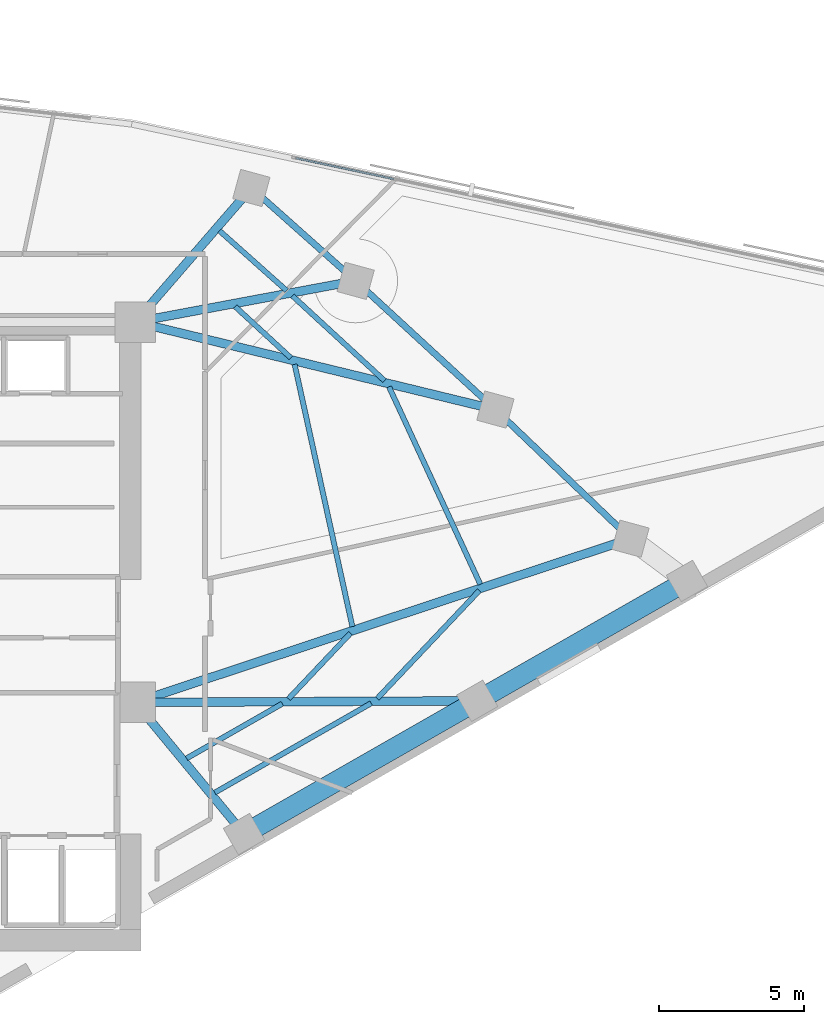
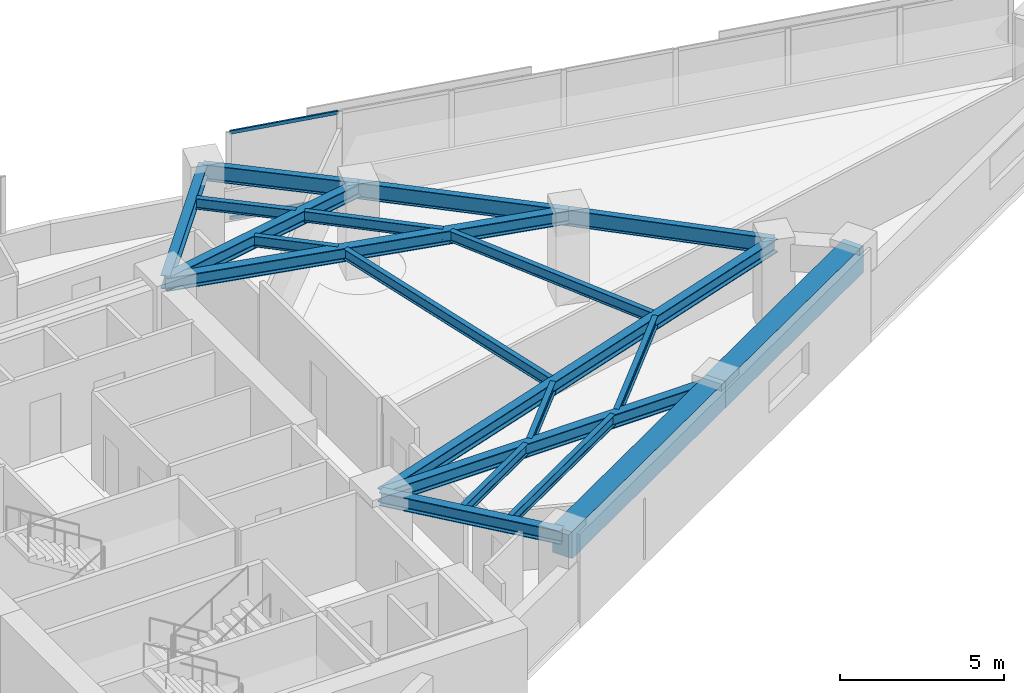
# One storey, part 3 of 13: 20 beams, 2 members, 1 element without a shape of its own.
"""IFC4 building model written with IfcOpenShell, lengths in metres."""

from ifc_helpers import new_model, si_unit, direction, frame, origin, origin_2d, place, context, subcontext, project, spatial, rectangle, hollow_rectangle, i_section, extrude, material, material_profile, profile_set, type_object, element, aggregate, save


model = new_model("IFC4")

# Units and contexts
model_context = context("Model", 3, precision=1e-05, world=origin(), true_north=direction((0.0, 1.0)))
body_context = subcontext(model_context, "Body", "Model", "MODEL_VIEW")
ifc_project = project(units=[si_unit("LENGTHUNIT", "METRE"), si_unit("AREAUNIT", "SQUARE_METRE"), si_unit("VOLUMEUNIT", "CUBIC_METRE"), si_unit("PLANEANGLEUNIT", "RADIAN"), si_unit("MASSUNIT", "GRAM", prefix="KILO")], contexts=[model_context])

# Site, building, storey
site_placement = place(None, origin())
site = spatial("IfcSite", under=ifc_project, at=site_placement, CompositionType="ELEMENT")
building_placement = place(site_placement, origin())
building = spatial("IfcBuilding", under=site, at=building_placement, Name="Narakoshi Arena Tower", CompositionType="ELEMENT")
storey_placement = place(building_placement, frame((0.0, 0.0, 222.02001953125)))
storey = spatial("IfcBuildingStorey", under=building, at=storey_placement, Name="L60", CompositionType="ELEMENT", Elevation=222.02001953125)

# Beams
ifc_material_1 = material(Name="Concrete C60/75", Category="concrete")
ifc_material_profile_1 = material_profile(ifc_material_1, rectangle(XDim=0.699951171875, YDim=1.0, at=origin_2d()), Name="RCB700x1000")
ifc_profile_set_1 = profile_set([ifc_material_profile_1], Name="Concrete C60/75")
beam_type_1 = type_object("IfcBeamType", Name="BM-CPL-1000", PredefinedType="BEAM", material=ifc_profile_set_1)
beam_1_placement = place(storey_placement, frame((89.30810546875, 38.798583984375, 2.760009765625), z_axis=(0.868201055882, 0.496212582031, 0.0), x_axis=(-0.496212582031, 0.868201055882, 0.0)))
element("IfcBeam", 1, at=beam_1_placement, inside=storey, type_object=beam_type_1, Name="L60 Perimeter Edge Girder 01", PredefinedType="BEAM", context=body_context, shape_type="SweptSolid", body=[
    extrude(rectangle(XDim=0.699951171875, YDim=1.0, at=origin_2d()), origin(), (0.0, 0.0, 1.0), 9.2822265625),
])
beam_2_placement = place(storey_placement, frame((97.366943359375, 43.404541015625, 2.760009765625), z_axis=(0.868192782093, 0.49622705803, 0.0), x_axis=(-0.49622705803, 0.868192782093, 0.0)))
element("IfcBeam", 2, at=beam_2_placement, inside=storey, type_object=beam_type_1, Name="L60 Perimeter Edge Girder 02", PredefinedType="BEAM", context=body_context, shape_type="SweptSolid", body=[
    extrude(rectangle(XDim=0.699951171875, YDim=1.0, at=origin_2d()), origin(), (0.0, 0.0, 1.0), 8.35400390625),
])
ifc_material_2 = material(Name="Structural steel S355J2", Category="steel")
ifc_material_profile_2 = material_profile(ifc_material_2, i_section(OverallWidth=0.219970703125, OverallDepth=0.60009765625, WebThickness=0.011962890625, FlangeThickness=0.01904296875, FilletRadius=0.02392578125, at=origin_2d()), Name="IPE600")
ifc_profile_set_2 = profile_set([ifc_material_profile_2], Name="Structural steel S355J2")
beam_type_2 = type_object("IfcBeamType", Name="BM-EDGE-600", PredefinedType="BEAM", material=ifc_profile_set_2)
beam_3_placement = place(storey_placement, frame((102.668701171875, 49.009521484375, 2.9599609375), z_axis=(-0.722814960544, 0.691041628858, 0.0), x_axis=(-0.691041628858, -0.722814960544, 0.0)))
element("IfcBeam", 3, at=beam_3_placement, inside=storey, type_object=beam_type_2, Name="L60 Perimeter Edge Girder 04", PredefinedType="BEAM", context=body_context, shape_type="SweptSolid", body=[
    extrude(i_section(OverallWidth=0.219970703125, OverallDepth=0.60009765625, WebThickness=0.011962890625, FlangeThickness=0.01904296875, FilletRadius=0.02392578125, at=origin_2d()), origin(), (0.0, 0.0, 1.0), 6.462158203125),
])
beam_4_placement = place(storey_placement, frame((97.997802734375, 53.47509765625, 2.9599609375), z_axis=(-0.735632357906, 0.677381010954, 0.0), x_axis=(-0.677381010954, -0.735632357906, 0.0)))
element("IfcBeam", 4, at=beam_4_placement, inside=storey, type_object=beam_type_2, Name="L60 Perimeter Edge Girder 05", PredefinedType="BEAM", context=body_context, shape_type="SweptSolid", body=[
    extrude(i_section(OverallWidth=0.219970703125, OverallDepth=0.60009765625, WebThickness=0.011962890625, FlangeThickness=0.01904296875, FilletRadius=0.02392578125, at=origin_2d()), origin(), (0.0, 0.0, 1.0), 6.567626953125),
])
beam_5_placement = place(storey_placement, frame((93.16650390625, 57.923828125, 2.9599609375), z_axis=(-0.746739302131, 0.665116842857, 0.0), x_axis=(-0.665116842857, -0.746739302131, 0.0)))
element("IfcBeam", 5, at=beam_5_placement, inside=storey, type_object=beam_type_2, Name="L60 Perimeter Edge Girder 06", PredefinedType="BEAM", context=body_context, shape_type="SweptSolid", body=[
    extrude(i_section(OverallWidth=0.219970703125, OverallDepth=0.60009765625, WebThickness=0.011962890625, FlangeThickness=0.01904296875, FilletRadius=0.02392578125, at=origin_2d()), origin(), (0.0, 0.0, 1.0), 4.82763671875),
])
ifc_material_profile_3 = material_profile(ifc_material_2, i_section(OverallWidth=0.300048828125, OverallDepth=0.5, WebThickness=0.014404296875, FlangeThickness=0.028076171875, FilletRadius=0.027099609375, at=origin_2d()), Name="HE500B")
ifc_profile_set_3 = profile_set([ifc_material_profile_3], Name="Structural steel S355J2")
beam_type_3 = type_object("IfcBeamType", Name="BM-PRI-500", PredefinedType="BEAM", material=ifc_profile_set_3)
beam_6_placement = place(storey_placement, frame((85.550048828125, 43.35009765625, 3.010009765625), z_axis=(0.63669116064, -0.771118905204, 0.0), x_axis=(0.771118905204, 0.63669116064, 0.0)))
element("IfcBeam", 6, at=beam_6_placement, inside=storey, type_object=beam_type_3, Name="L60 Radial Primary Floor Girder 01", PredefinedType="BEAM", context=body_context, shape_type="SweptSolid", body=[
    extrude(i_section(OverallWidth=0.300048828125, OverallDepth=0.5, WebThickness=0.014404296875, FlangeThickness=0.028076171875, FilletRadius=0.027099609375, at=origin_2d()), origin(), (0.0, 0.0, 1.0), 5.902587890625),
])
beam_7_placement = place(storey_placement, frame((85.550048828125, 43.35009765625, 3.010009765625), z_axis=(0.999989386804, 0.004607198737, 0.0), x_axis=(-0.004607198737, 0.999989386804, 0.0)))
element("IfcBeam", 7, at=beam_7_placement, inside=storey, type_object=beam_type_3, Name="L60 Radial Primary Floor Girder 02", PredefinedType="BEAM", context=body_context, shape_type="SweptSolid", body=[
    extrude(i_section(OverallWidth=0.300048828125, OverallDepth=0.5, WebThickness=0.014404296875, FlangeThickness=0.028076171875, FilletRadius=0.027099609375, at=origin_2d()), origin(), (0.0, 0.0, 1.0), 11.817138671875),
])
beam_8_placement = place(storey_placement, frame((85.550048828125, 43.35009765625, 3.010009765625), z_axis=(0.949459022771, 0.313891006687, 0.0), x_axis=(-0.313891006687, 0.949459022771, 0.0)))
element("IfcBeam", 8, at=beam_8_placement, inside=storey, type_object=beam_type_3, Name="L60 Radial Primary Floor Girder 04", PredefinedType="BEAM", context=body_context, shape_type="SweptSolid", body=[
    extrude(i_section(OverallWidth=0.300048828125, OverallDepth=0.5, WebThickness=0.014404296875, FlangeThickness=0.028076171875, FilletRadius=0.027099609375, at=origin_2d()), origin(), (0.0, 0.0, 1.0), 18.02978515625),
])
beam_9_placement = place(storey_placement, frame((85.550048828125, 56.5, 3.010009765625), z_axis=(0.971720101952, -0.236135646318, 0.0), x_axis=(0.236135646318, 0.971720101952, 0.0)))
element("IfcBeam", 9, at=beam_9_placement, inside=storey, type_object=beam_type_3, Name="L60 Radial Primary Floor Girder 05", PredefinedType="BEAM", context=body_context, shape_type="SweptSolid", body=[
    extrude(i_section(OverallWidth=0.300048828125, OverallDepth=0.5, WebThickness=0.014404296875, FlangeThickness=0.028076171875, FilletRadius=0.027099609375, at=origin_2d()), origin(), (0.0, 0.0, 1.0), 12.81005859375),
])
beam_10_placement = place(storey_placement, frame((85.550048828125, 56.5, 3.010009765625), z_axis=(0.982971563011, 0.183757738099, 0.0), x_axis=(-0.183757738099, 0.982971563011, 0.0)))
element("IfcBeam", 10, at=beam_10_placement, inside=storey, type_object=beam_type_3, Name="L60 Radial Primary Floor Girder 06", PredefinedType="BEAM", context=body_context, shape_type="SweptSolid", body=[
    extrude(i_section(OverallWidth=0.300048828125, OverallDepth=0.5, WebThickness=0.014404296875, FlangeThickness=0.028076171875, FilletRadius=0.027099609375, at=origin_2d()), origin(), (0.0, 0.0, 1.0), 7.748291015625),
])
beam_11_placement = place(storey_placement, frame((85.550048828125, 56.5, 3.010009765625), z_axis=(0.654434553487, 0.756118651537, 0.0), x_axis=(-0.756118651537, 0.654434553487, 0.0)))
element("IfcBeam", 11, at=beam_11_placement, inside=storey, type_object=beam_type_3, Name="L60 Radial Primary Floor Girder 07", PredefinedType="BEAM", context=body_context, shape_type="SweptSolid", body=[
    extrude(i_section(OverallWidth=0.300048828125, OverallDepth=0.5, WebThickness=0.014404296875, FlangeThickness=0.028076171875, FilletRadius=0.027099609375, at=origin_2d()), origin(), (0.0, 0.0, 1.0), 6.129638671875),
])
ifc_material_profile_4 = material_profile(ifc_material_2, i_section(OverallWidth=0.179931640625, OverallDepth=0.39990234375, WebThickness=0.008544921875, FlangeThickness=0.013427734375, FilletRadius=0.02099609375, at=origin_2d()), Name="IPE400")
ifc_profile_set_4 = profile_set([ifc_material_profile_4], Name="Structural steel S355J2")
beam_type_4 = type_object("IfcBeamType", Name="BM-SEC-400", PredefinedType="JOIST", material=ifc_profile_set_4)
beam_12_placement = place(storey_placement, frame((87.32080078125, 41.414306640625, 3.06005859375), z_axis=(0.868195867723, 0.496221659411, 0.0), x_axis=(-0.496221659411, 0.868195867723, 0.0)))
element("IfcBeam", 12, at=beam_12_placement, inside=storey, type_object=beam_type_4, Name="L60 Composite Secondary Floor Joist 01", PredefinedType="JOIST", context=body_context, shape_type="SweptSolid", body=[
    extrude(i_section(OverallWidth=0.179931640625, OverallDepth=0.39990234375, WebThickness=0.008544921875, FlangeThickness=0.013427734375, FilletRadius=0.02099609375, at=origin_2d()), origin(), (0.0, 0.0, 1.0), 3.81396484375),
])
beam_13_placement = place(storey_placement, frame((88.2978515625, 40.23095703125, 3.06005859375), z_axis=(0.8681900623, 0.496231816517, 0.0), x_axis=(-0.496231816517, 0.8681900623, 0.0)))
element("IfcBeam", 13, at=beam_13_placement, inside=storey, type_object=beam_type_4, Name="L60 Composite Secondary Floor Joist 02", PredefinedType="JOIST", context=body_context, shape_type="SweptSolid", body=[
    extrude(i_section(OverallWidth=0.179931640625, OverallDepth=0.39990234375, WebThickness=0.008544921875, FlangeThickness=0.013427734375, FilletRadius=0.02099609375, at=origin_2d()), origin(), (0.0, 0.0, 1.0), 6.2275390625),
])
beam_14_placement = place(storey_placement, frame((90.84228515625, 43.47216796875, 3.06005859375), z_axis=(0.687183136643, 0.726484230189, 0.0), x_axis=(-0.726484230189, 0.687183136643, 0.0)))
element("IfcBeam", 14, at=beam_14_placement, inside=storey, type_object=beam_type_4, Name="L60 Composite Secondary Floor Joist 03", PredefinedType="JOIST", context=body_context, shape_type="SweptSolid", body=[
    extrude(i_section(OverallWidth=0.179931640625, OverallDepth=0.39990234375, WebThickness=0.008544921875, FlangeThickness=0.013427734375, FilletRadius=0.02099609375, at=origin_2d()), origin(), (0.0, 0.0, 1.0), 3.124755859375),
])
beam_15_placement = place(storey_placement, frame((93.91455078125, 43.486328125, 3.06005859375), z_axis=(0.687205962341, 0.726462638628, 0.0), x_axis=(-0.726462638628, 0.687205962341, 0.0)))
element("IfcBeam", 15, at=beam_15_placement, inside=storey, type_object=beam_type_4, Name="L60 Composite Secondary Floor Joist 04", PredefinedType="JOIST", context=body_context, shape_type="SweptSolid", body=[
    extrude(i_section(OverallWidth=0.179931640625, OverallDepth=0.39990234375, WebThickness=0.008544921875, FlangeThickness=0.013427734375, FilletRadius=0.02099609375, at=origin_2d()), origin(), (0.0, 0.0, 1.0), 5.130859375),
])
beam_16_placement = place(storey_placement, frame((93.05322265625, 45.971923828125, 3.06005859375), z_axis=(-0.215142244311, 0.976582722924, 0.0), x_axis=(-0.976582722924, -0.215142244311, 0.0)))
element("IfcBeam", 16, at=beam_16_placement, inside=storey, type_object=beam_type_4, Name="L60 Composite Secondary Floor Joist 05", PredefinedType="JOIST", context=body_context, shape_type="SweptSolid", body=[
    extrude(i_section(OverallWidth=0.179931640625, OverallDepth=0.39990234375, WebThickness=0.008544921875, FlangeThickness=0.013427734375, FilletRadius=0.02099609375, at=origin_2d()), origin(), (0.0, 0.0, 1.0), 9.282470703125),
])
beam_17_placement = place(storey_placement, frame((97.4765625, 47.43408203125, 3.06005859375), z_axis=(-0.419696271228, 0.907664607615, 0.0), x_axis=(-0.907664607615, -0.419696271228, 0.0)))
element("IfcBeam", 17, at=beam_17_placement, inside=storey, type_object=beam_type_4, Name="L60 Composite Secondary Floor Joist 06", PredefinedType="JOIST", context=body_context, shape_type="SweptSolid", body=[
    extrude(i_section(OverallWidth=0.179931640625, OverallDepth=0.39990234375, WebThickness=0.008544921875, FlangeThickness=0.013427734375, FilletRadius=0.02099609375, at=origin_2d()), origin(), (0.0, 0.0, 1.0), 7.520263671875),
])
beam_18_placement = place(storey_placement, frame((90.927734375, 55.260498046875, 3.06005859375), z_axis=(-0.735628197446, 0.677385529166, 0.0), x_axis=(-0.677385529166, -0.735628197446, 0.0)))
element("IfcBeam", 18, at=beam_18_placement, inside=storey, type_object=beam_type_4, Name="L60 Composite Secondary Floor Joist 07", PredefinedType="JOIST", context=body_context, shape_type="SweptSolid", body=[
    extrude(i_section(OverallWidth=0.179931640625, OverallDepth=0.39990234375, WebThickness=0.008544921875, FlangeThickness=0.013427734375, FilletRadius=0.02099609375, at=origin_2d()), origin(), (0.0, 0.0, 1.0), 2.619873046875),
])
beam_19_placement = place(storey_placement, frame((94.164306640625, 54.47412109375, 3.06005859375), z_axis=(-0.735672341295, 0.677337586624, 0.0), x_axis=(-0.677337586624, -0.735672341295, 0.0)))
element("IfcBeam", 19, at=beam_19_placement, inside=storey, type_object=beam_type_4, Name="L60 Composite Secondary Floor Joist 08", PredefinedType="JOIST", context=body_context, shape_type="SweptSolid", body=[
    extrude(i_section(OverallWidth=0.179931640625, OverallDepth=0.39990234375, WebThickness=0.008544921875, FlangeThickness=0.013427734375, FilletRadius=0.02099609375, at=origin_2d()), origin(), (0.0, 0.0, 1.0), 4.327392578125),
])
beam_20_placement = place(storey_placement, frame((90.78076171875, 57.58642578125, 3.06005859375), z_axis=(-0.746720111739, 0.665138387649, 0.0), x_axis=(-0.665138387649, -0.746720111739, 0.0)))
element("IfcBeam", 20, at=beam_20_placement, inside=storey, type_object=beam_type_4, Name="L60 Composite Secondary Floor Joist 09", PredefinedType="JOIST", context=body_context, shape_type="SweptSolid", body=[
    extrude(i_section(OverallWidth=0.179931640625, OverallDepth=0.39990234375, WebThickness=0.008544921875, FlangeThickness=0.013427734375, FilletRadius=0.02099609375, at=origin_2d()), origin(), (0.0, 0.0, 1.0), 3.109375),
])

# Curtain wall, members
ifc_material_3 = material(Name="Anodised bronze aluminium 6063-T6", Category="aluminium")
curtain_wall_type = type_object("IfcCurtainWallType", Name="CW-HYP-MID", PredefinedType="NOTDEFINED", material=ifc_material_3)
curtain_wall_placement = place(storey_placement, origin())
curtain_wall = element("IfcCurtainWall", 21, at=curtain_wall_placement, inside=storey, type_object=curtain_wall_type, Name="L60 Folded Hypotenuse Curtain Wall 1-1", PredefinedType="NOTDEFINED")
ifc_material_profile_5 = material_profile(ifc_material_3, hollow_rectangle(XDim=0.06494140625, YDim=0.1298828125, WallThickness=0.00390625, OuterFilletRadius=0.0048828125, at=origin_2d()), Name="TRN130x65x4")
ifc_profile_set_5 = profile_set([ifc_material_profile_5], Name="Anodised bronze aluminium 6063-T6")
member_type = type_object("IfcMemberType", Name="MEM-TRN-130", PredefinedType="USERDEFINED", material=ifc_profile_set_5)
member_1_placement = place(storey_placement, frame((94.4892578125, 61.442138671875, 0.032470703125), z_axis=(-0.977945872942, 0.208858491797, 0.0), x_axis=(-0.208858491797, -0.977945872942, 0.0)))
member_1 = element("IfcMember", 22, at=member_1_placement, type_object=member_type, Name="CW-02 transom 7.1", ObjectType="TRANSOM", PredefinedType="USERDEFINED", context=body_context, shape_type="SweptSolid", body=[
    extrude(hollow_rectangle(XDim=0.06494140625, YDim=0.1298828125, WallThickness=0.00390625, OuterFilletRadius=0.0048828125, at=origin_2d()), origin(), (0.0, 0.0, 1.0), 3.48095703125),
])
member_2_placement = place(storey_placement, frame((94.4892578125, 61.442138671875, 3.2275390625), z_axis=(-0.977945872942, 0.208858491797, 0.0), x_axis=(-0.208858491797, -0.977945872942, 0.0)))
member_2 = element("IfcMember", 23, at=member_2_placement, type_object=member_type, Name="CW-02 transom 7.2", ObjectType="TRANSOM", PredefinedType="USERDEFINED", context=body_context, shape_type="SweptSolid", body=[
    extrude(hollow_rectangle(XDim=0.06494140625, YDim=0.1298828125, WallThickness=0.00390625, OuterFilletRadius=0.0048828125, at=origin_2d()), origin(), (0.0, 0.0, 1.0), 3.48095703125),
])
aggregate(curtain_wall, [member_1, member_2])

save(model, "model.ifc")
